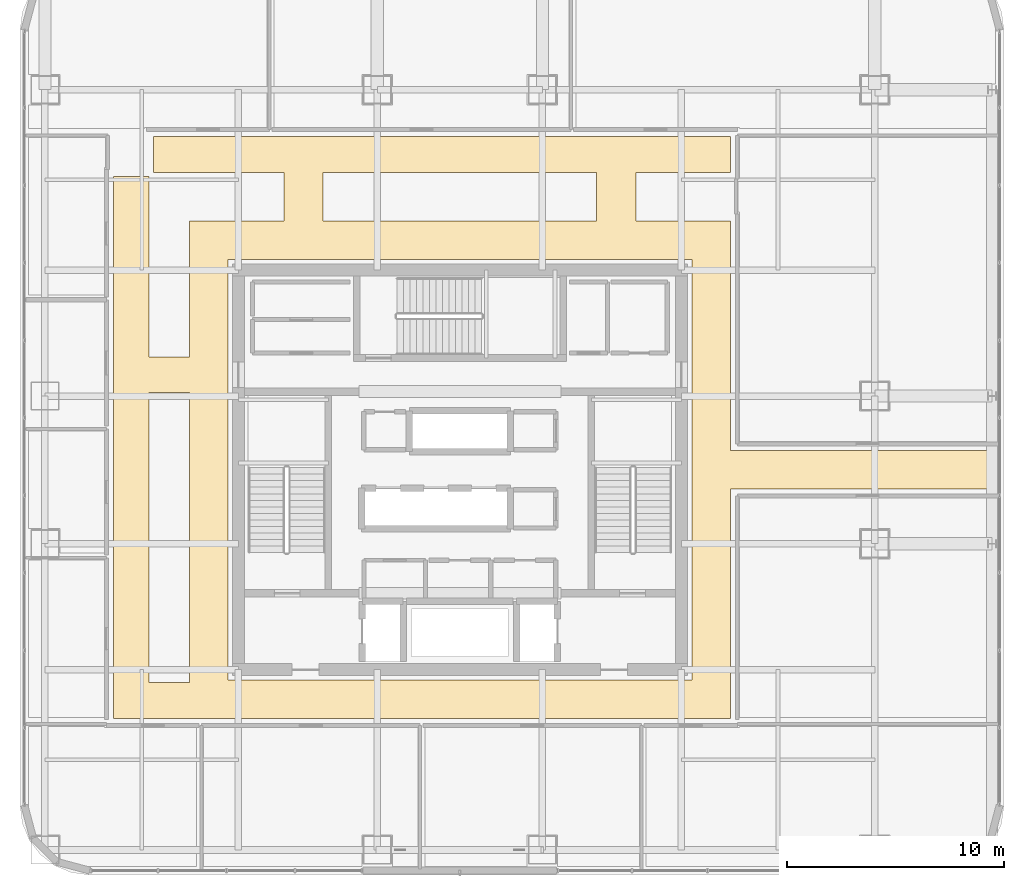
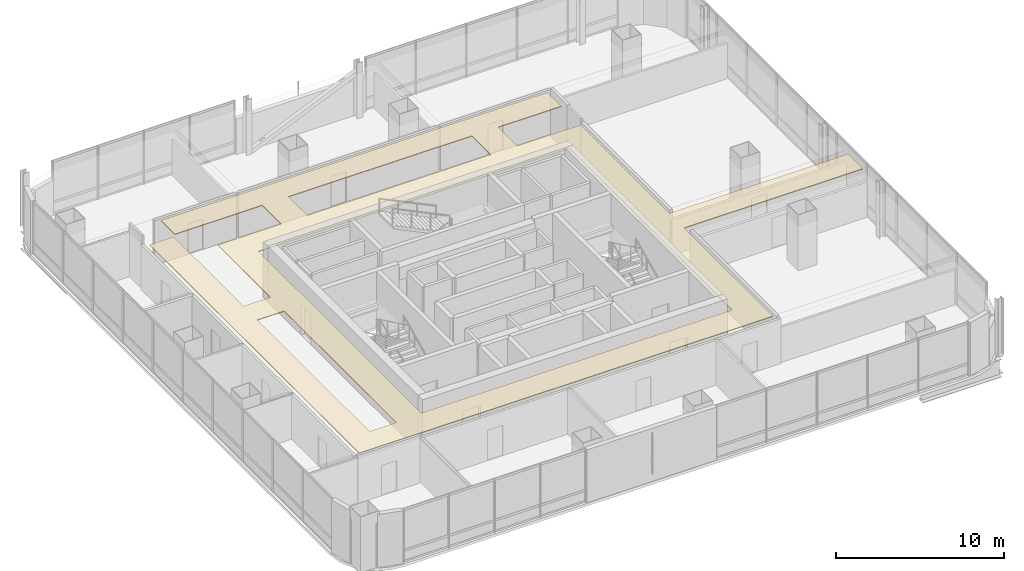
# One storey, part 40 of 44: 1 covering.
"""IFC4 building model written with IfcOpenShell, lengths in metres."""

from ifc_helpers import new_model, si_unit, direction, frame, origin, place, context, subcontext, project, spatial, polyline, outline, extrude, material, layer, layer_set, type_object, element, save


model = new_model("IFC4")

# Units and contexts
model_context = context("Model", 3, precision=1e-05, world=origin(), true_north=direction((0.0, 1.0)))
body_context = subcontext(model_context, "Body", "Model", "MODEL_VIEW")
ifc_project = project(units=[si_unit("LENGTHUNIT", "METRE"), si_unit("AREAUNIT", "SQUARE_METRE"), si_unit("VOLUMEUNIT", "CUBIC_METRE"), si_unit("PLANEANGLEUNIT", "RADIAN"), si_unit("MASSUNIT", "GRAM", prefix="KILO")], contexts=[model_context])

# Site, building, storey
site_placement = place(None, origin())
site = spatial("IfcSite", under=ifc_project, at=site_placement, CompositionType="ELEMENT")
building_placement = place(site_placement, origin())
building = spatial("IfcBuilding", under=site, at=building_placement, Name="Punatoya Terracotta Tower", CompositionType="ELEMENT")
storey_placement = place(building_placement, frame((0.0, 0.0, 267.60009765625)))
storey = spatial("IfcBuildingStorey", under=building, at=storey_placement, Name="L63", CompositionType="ELEMENT", Elevation=267.60009765625)

# Covering
ifc_material = material(Name="Acoustic Mineral Fibre Ceiling")
ifc_layer = layer(ifc_material, 0.06005859375)
ifc_layer_set = layer_set([ifc_layer], Name="Acoustic Mineral Fibre Ceiling")
covering_type = type_object("IfcCoveringType", Name="COV-CEIL-60", PredefinedType="CEILING", material=ifc_layer_set)
covering_placement = place(storey_placement, frame((0.0, 0.0, 3.239990234375)))
element("IfcCovering", 1, at=covering_placement, inside=storey, type_object=covering_type, Name="L63 Loop Circulation Corridor Acoustic Ceiling", PredefinedType="CEILING", context=body_context, shape_type="SweptSolid", body=[
    extrude(outline(polyline([(-14.300048828125, 5.199951171875), (-14.300048828125, 13.5), (-15.949951171875, 13.5), (-15.949951171875, -11.449951171875), (12.449951171875, -11.449951171875), (12.449951171875, -0.8798828125), (24.72998046875, -0.8798828125), (24.72998046875, 0.8798828125), (12.449951171875, 0.8798828125), (12.449951171875, 11.449951171875), (8.10009765625, 11.449951171875), (8.10009765625, 13.699951171875), (12.449951171875, 13.699951171875), (12.449951171875, 15.35009765625), (-14.10009765625, 15.35009765625), (-14.10009765625, 13.699951171875), (-8.10009765625, 13.699951171875), (-8.10009765625, 11.449951171875), (-12.449951171875, 11.449951171875), (-12.449951171875, 5.199951171875), (-14.300048828125, 5.199951171875)]), holes=[polyline([(10.679931640625, 9.679931640625), (10.679931640625, -9.679931640625), (-10.679931640625, -9.679931640625), (-10.679931640625, 9.679931640625), (10.679931640625, 9.679931640625)]), polyline([(6.300048828125, 13.699951171875), (6.300048828125, 11.449951171875), (-6.300048828125, 11.449951171875), (-6.300048828125, 13.699951171875), (6.300048828125, 13.699951171875)]), polyline([(-14.300048828125, 3.550048828125), (-12.449951171875, 3.550048828125), (-12.449951171875, -9.800048828125), (-14.300048828125, -9.800048828125), (-14.300048828125, 3.550048828125)])]), origin(), (0.0, 0.0, 1.0), 0.059814453125),
])

save(model, "model.ifc")
